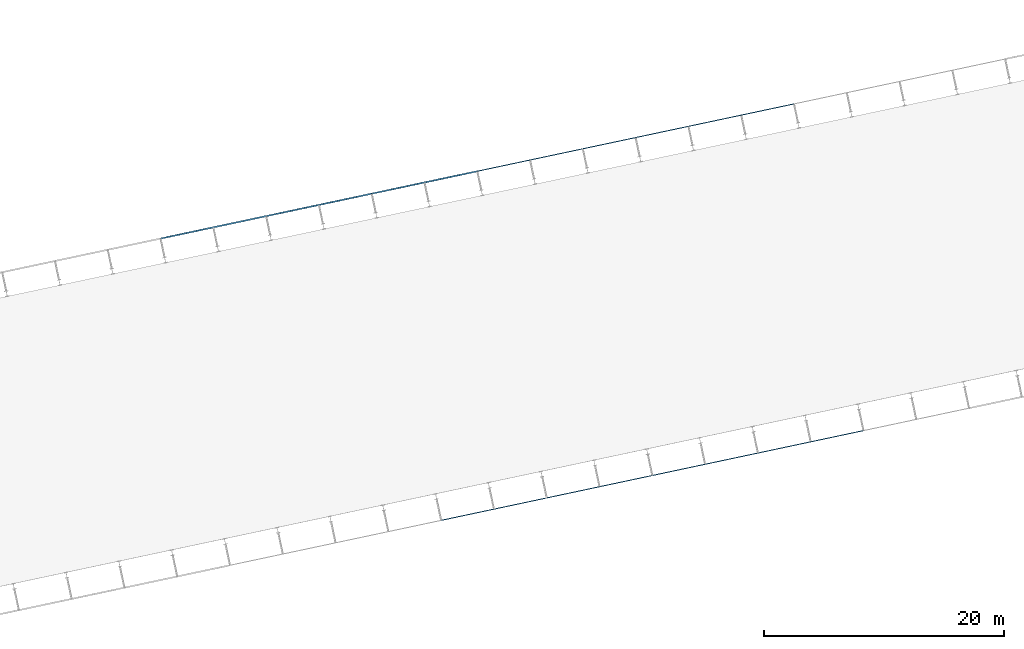
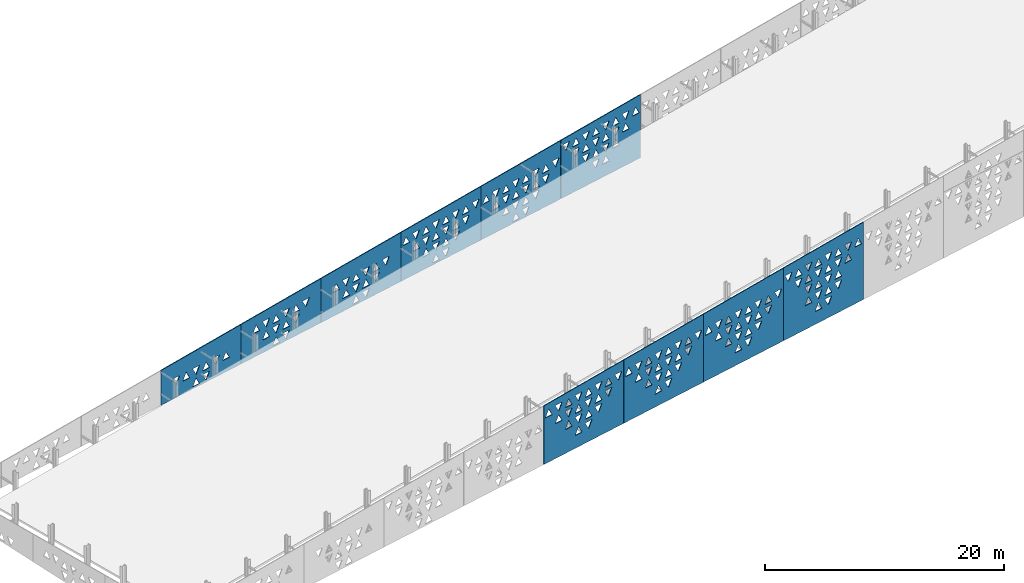
# One storey, part 24 of 41: 10 plates.
"""IFC4 building model written with IfcOpenShell, lengths in metres."""

from ifc_helpers import new_model, si_unit, direction, frame, origin, place, context, subcontext, project, spatial, polyline, outline, extrude, material, layer, layer_set, type_object, element, save


model = new_model("IFC4")

# Units and contexts
model_context = context("Model", 3, precision=1e-05, world=origin(), true_north=direction((0.0, 1.0)))
body_context = subcontext(model_context, "Body", "Model", "MODEL_VIEW")
ifc_project = project(units=[si_unit("LENGTHUNIT", "METRE"), si_unit("AREAUNIT", "SQUARE_METRE"), si_unit("VOLUMEUNIT", "CUBIC_METRE"), si_unit("PLANEANGLEUNIT", "RADIAN"), si_unit("MASSUNIT", "GRAM", prefix="KILO")], contexts=[model_context])

# Site, building, storey
site_placement = place(None, origin())
site = spatial("IfcSite", under=ifc_project, at=site_placement, CompositionType="ELEMENT")
building_placement = place(site_placement, origin())
building = spatial("IfcBuilding", under=site, at=building_placement, Name="Okhra Congress Centre", CompositionType="ELEMENT")
storey_placement = place(building_placement, frame((0.0, 0.0, 21.60009765625)))
storey = spatial("IfcBuildingStorey", under=building, at=storey_placement, Name="ROOF", CompositionType="ELEMENT", Elevation=21.60009765625)

# Plates
ifc_material = material(Name="Fired clay terracotta rainscreen panel, deep oxide-red glaze, non-combustible", Category="masonry")
ifc_layer = layer(ifc_material, 0.080078125)
ifc_layer_set = layer_set([ifc_layer], Name="Terracotta screen panel 8980 sloped top")
plate_type = type_object("IfcPlateType", Name="Terracotta screen panel 8980 sloped top", PredefinedType="SHEET", material=ifc_layer_set)
plate_1_placement = place(storey_placement, frame((101.056884765625, 33.2509765625, 0.2099609375), z_axis=(0.0, 0.0, 1.0), x_axis=(0.978149591018, 0.207902327047, 0.0)))
element("IfcPlate", 1, at=plate_1_placement, inside=storey, type_object=plate_type, Name="Screen panel S6 Parapet", PredefinedType="SHEET", context=body_context, shape_type="SweptSolid", body=[
    extrude(outline(polyline([(0.0, 0.0), (8.97998046875, 0.0), (8.97998046875, 6.464111328125), (0.0, 5.983642578125), (0.0, 0.0)]), holes=[polyline([(3.536376953125, 1.303955078125), (4.3037109375, 1.303955078125), (3.919921875, 2.05615234375), (3.536376953125, 1.303955078125)]), polyline([(4.656494140625, 2.05615234375), (5.0400390625, 1.303955078125), (5.423583984375, 2.05615234375), (4.656494140625, 2.05615234375)]), polyline([(2.41650390625, 2.423828125), (3.18359375, 2.423828125), (2.800048828125, 3.176025390625), (2.41650390625, 2.423828125)]), polyline([(3.536376953125, 3.176025390625), (3.919921875, 2.423828125), (4.3037109375, 3.176025390625), (3.536376953125, 3.176025390625)]), polyline([(4.656494140625, 2.423828125), (5.423583984375, 2.423828125), (5.0400390625, 3.176025390625), (4.656494140625, 2.423828125)]), polyline([(5.7763671875, 3.176025390625), (6.159912109375, 2.423828125), (6.543701171875, 3.176025390625), (5.7763671875, 3.176025390625)]), polyline([(1.29638671875, 3.5439453125), (2.0634765625, 3.5439453125), (1.679931640625, 4.296142578125), (1.29638671875, 3.5439453125)]), polyline([(2.41650390625, 4.296142578125), (2.800048828125, 3.5439453125), (3.18359375, 4.296142578125), (2.41650390625, 4.296142578125)]), polyline([(3.536376953125, 3.5439453125), (4.3037109375, 3.5439453125), (3.919921875, 4.296142578125), (3.536376953125, 3.5439453125)]), polyline([(4.656494140625, 4.296142578125), (5.0400390625, 3.5439453125), (5.423583984375, 4.296142578125), (4.656494140625, 4.296142578125)]), polyline([(5.7763671875, 3.5439453125), (6.543701171875, 3.5439453125), (6.159912109375, 4.296142578125), (5.7763671875, 3.5439453125)]), polyline([(6.896484375, 4.296142578125), (7.280029296875, 3.5439453125), (7.66357421875, 4.296142578125), (6.896484375, 4.296142578125)]), polyline([(0.176513671875, 4.663818359375), (0.943603515625, 4.663818359375), (0.56005859375, 5.416015625), (0.176513671875, 4.663818359375)]), polyline([(1.29638671875, 5.416015625), (1.679931640625, 4.663818359375), (2.0634765625, 5.416015625), (1.29638671875, 5.416015625)]), polyline([(2.41650390625, 4.663818359375), (3.18359375, 4.663818359375), (2.800048828125, 5.416015625), (2.41650390625, 4.663818359375)]), polyline([(3.536376953125, 5.416015625), (3.919921875, 4.663818359375), (4.3037109375, 5.416015625), (3.536376953125, 5.416015625)]), polyline([(4.656494140625, 4.663818359375), (5.423583984375, 4.663818359375), (5.0400390625, 5.416015625), (4.656494140625, 4.663818359375)]), polyline([(5.7763671875, 5.416015625), (6.159912109375, 4.663818359375), (6.543701171875, 5.416015625), (5.7763671875, 5.416015625)]), polyline([(6.896484375, 4.663818359375), (7.66357421875, 4.663818359375), (7.280029296875, 5.416015625), (6.896484375, 4.663818359375)]), polyline([(8.016357421875, 5.416015625), (8.39990234375, 4.663818359375), (8.78369140625, 5.416015625), (8.016357421875, 5.416015625)])]), frame((0.0, 0.0400390625, 0.0), z_axis=(0.0, -1.0, 0.0), x_axis=(1.0, 0.0, 0.0)), (0.0, 0.0, 1.0), 0.080078125),
])
plate_2_placement = place(storey_placement, frame((109.860107421875, 35.122314453125, 0.2099609375), z_axis=(0.0, 0.0, 1.0), x_axis=(0.978149591018, 0.207902327047, 0.0)))
element("IfcPlate", 2, at=plate_2_placement, inside=storey, type_object=plate_type, Name="Screen panel S7 Parapet", PredefinedType="SHEET", context=body_context, shape_type="SweptSolid", body=[
    extrude(outline(polyline([(0.0, 0.0), (8.97998046875, 0.0), (8.97998046875, 6.945556640625), (0.0, 6.465087890625), (0.0, 0.0)]), holes=[polyline([(3.536376953125, 1.303955078125), (4.3037109375, 1.303955078125), (3.919921875, 2.05615234375), (3.536376953125, 1.303955078125)]), polyline([(4.656494140625, 2.05615234375), (5.0400390625, 1.303955078125), (5.423583984375, 2.05615234375), (4.656494140625, 2.05615234375)]), polyline([(2.41650390625, 2.423828125), (3.18359375, 2.423828125), (2.800048828125, 3.176025390625), (2.41650390625, 2.423828125)]), polyline([(3.536376953125, 3.176025390625), (3.919921875, 2.423828125), (4.3037109375, 3.176025390625), (3.536376953125, 3.176025390625)]), polyline([(4.656494140625, 2.423828125), (5.423583984375, 2.423828125), (5.0400390625, 3.176025390625), (4.656494140625, 2.423828125)]), polyline([(5.7763671875, 3.176025390625), (6.159912109375, 2.423828125), (6.543701171875, 3.176025390625), (5.7763671875, 3.176025390625)]), polyline([(1.29638671875, 3.5439453125), (2.0634765625, 3.5439453125), (1.679931640625, 4.296142578125), (1.29638671875, 3.5439453125)]), polyline([(2.41650390625, 4.296142578125), (2.800048828125, 3.5439453125), (3.18359375, 4.296142578125), (2.41650390625, 4.296142578125)]), polyline([(3.536376953125, 3.5439453125), (4.3037109375, 3.5439453125), (3.919921875, 4.296142578125), (3.536376953125, 3.5439453125)]), polyline([(4.656494140625, 4.296142578125), (5.0400390625, 3.5439453125), (5.423583984375, 4.296142578125), (4.656494140625, 4.296142578125)]), polyline([(5.7763671875, 3.5439453125), (6.543701171875, 3.5439453125), (6.159912109375, 4.296142578125), (5.7763671875, 3.5439453125)]), polyline([(6.896484375, 4.296142578125), (7.280029296875, 3.5439453125), (7.66357421875, 4.296142578125), (6.896484375, 4.296142578125)]), polyline([(0.176513671875, 4.663818359375), (0.943603515625, 4.663818359375), (0.56005859375, 5.416015625), (0.176513671875, 4.663818359375)]), polyline([(1.29638671875, 5.416015625), (1.679931640625, 4.663818359375), (2.0634765625, 5.416015625), (1.29638671875, 5.416015625)]), polyline([(2.41650390625, 4.663818359375), (3.18359375, 4.663818359375), (2.800048828125, 5.416015625), (2.41650390625, 4.663818359375)]), polyline([(3.536376953125, 5.416015625), (3.919921875, 4.663818359375), (4.3037109375, 5.416015625), (3.536376953125, 5.416015625)]), polyline([(4.656494140625, 4.663818359375), (5.423583984375, 4.663818359375), (5.0400390625, 5.416015625), (4.656494140625, 4.663818359375)]), polyline([(5.7763671875, 5.416015625), (6.159912109375, 4.663818359375), (6.543701171875, 5.416015625), (5.7763671875, 5.416015625)]), polyline([(6.896484375, 4.663818359375), (7.66357421875, 4.663818359375), (7.280029296875, 5.416015625), (6.896484375, 4.663818359375)]), polyline([(8.016357421875, 5.416015625), (8.39990234375, 4.663818359375), (8.78369140625, 5.416015625), (8.016357421875, 5.416015625)])]), frame((0.0, 0.0400390625, 0.0), z_axis=(0.0, -1.0, 0.0), x_axis=(1.0, 0.0, 0.0)), (0.0, 0.0, 1.0), 0.080078125),
])
plate_3_placement = place(storey_placement, frame((118.663330078125, 36.993408203125, 0.2099609375), z_axis=(0.0, 0.0, 1.0), x_axis=(0.978150766104, 0.207896798366, 0.0)))
element("IfcPlate", 3, at=plate_3_placement, inside=storey, type_object=plate_type, Name="Screen panel S8 Parapet", PredefinedType="SHEET", context=body_context, shape_type="SweptSolid", body=[
    extrude(outline(polyline([(0.0, 0.0), (8.97998046875, 0.0), (8.97998046875, 7.42724609375), (0.0, 6.94677734375), (0.0, 0.0)]), holes=[polyline([(3.536376953125, 1.303955078125), (4.3037109375, 1.303955078125), (3.919921875, 2.05615234375), (3.536376953125, 1.303955078125)]), polyline([(4.656494140625, 2.05615234375), (5.0400390625, 1.303955078125), (5.423583984375, 2.05615234375), (4.656494140625, 2.05615234375)]), polyline([(2.41650390625, 2.423828125), (3.18359375, 2.423828125), (2.800048828125, 3.176025390625), (2.41650390625, 2.423828125)]), polyline([(3.536376953125, 3.176025390625), (3.919921875, 2.423828125), (4.3037109375, 3.176025390625), (3.536376953125, 3.176025390625)]), polyline([(4.656494140625, 2.423828125), (5.423583984375, 2.423828125), (5.0400390625, 3.176025390625), (4.656494140625, 2.423828125)]), polyline([(5.7763671875, 3.176025390625), (6.159912109375, 2.423828125), (6.543701171875, 3.176025390625), (5.7763671875, 3.176025390625)]), polyline([(1.29638671875, 3.5439453125), (2.0634765625, 3.5439453125), (1.679931640625, 4.296142578125), (1.29638671875, 3.5439453125)]), polyline([(2.41650390625, 4.296142578125), (2.800048828125, 3.5439453125), (3.18359375, 4.296142578125), (2.41650390625, 4.296142578125)]), polyline([(3.536376953125, 3.5439453125), (4.3037109375, 3.5439453125), (3.919921875, 4.296142578125), (3.536376953125, 3.5439453125)]), polyline([(4.656494140625, 4.296142578125), (5.0400390625, 3.5439453125), (5.423583984375, 4.296142578125), (4.656494140625, 4.296142578125)]), polyline([(5.7763671875, 3.5439453125), (6.543701171875, 3.5439453125), (6.159912109375, 4.296142578125), (5.7763671875, 3.5439453125)]), polyline([(6.896484375, 4.296142578125), (7.280029296875, 3.5439453125), (7.66357421875, 4.296142578125), (6.896484375, 4.296142578125)]), polyline([(0.176513671875, 4.663818359375), (0.943603515625, 4.663818359375), (0.56005859375, 5.416015625), (0.176513671875, 4.663818359375)]), polyline([(1.29638671875, 5.416015625), (1.679931640625, 4.663818359375), (2.0634765625, 5.416015625), (1.29638671875, 5.416015625)]), polyline([(2.41650390625, 4.663818359375), (3.18359375, 4.663818359375), (2.800048828125, 5.416015625), (2.41650390625, 4.663818359375)]), polyline([(3.536376953125, 5.416015625), (3.919921875, 4.663818359375), (4.3037109375, 5.416015625), (3.536376953125, 5.416015625)]), polyline([(4.656494140625, 4.663818359375), (5.423583984375, 4.663818359375), (5.0400390625, 5.416015625), (4.656494140625, 4.663818359375)]), polyline([(5.7763671875, 5.416015625), (6.159912109375, 4.663818359375), (6.543701171875, 5.416015625), (5.7763671875, 5.416015625)]), polyline([(6.896484375, 4.663818359375), (7.66357421875, 4.663818359375), (7.280029296875, 5.416015625), (6.896484375, 4.663818359375)]), polyline([(8.016357421875, 5.416015625), (8.39990234375, 4.663818359375), (8.78369140625, 5.416015625), (8.016357421875, 5.416015625)])]), frame((0.0, 0.0400390625, 0.0), z_axis=(0.0, -1.0, 0.0), x_axis=(1.0, 0.0, 0.0)), (0.0, 0.0, 1.0), 0.080078125),
])
plate_4_placement = place(storey_placement, frame((127.466796875, 38.864501953125, 0.2099609375), z_axis=(0.0, 0.0, 1.0), x_axis=(0.978144061878, 0.207928339131, 0.0)))
element("IfcPlate", 4, at=plate_4_placement, inside=storey, type_object=plate_type, Name="Screen panel S9 Parapet", PredefinedType="SHEET", context=body_context, shape_type="SweptSolid", body=[
    extrude(outline(polyline([(0.0, 0.0), (8.97998046875, 0.0), (8.97998046875, 7.90869140625), (0.0, 7.42822265625), (0.0, 0.0)]), holes=[polyline([(3.536376953125, 1.303955078125), (4.3037109375, 1.303955078125), (3.919921875, 2.05615234375), (3.536376953125, 1.303955078125)]), polyline([(4.656494140625, 2.05615234375), (5.0400390625, 1.303955078125), (5.423583984375, 2.05615234375), (4.656494140625, 2.05615234375)]), polyline([(2.41650390625, 2.423828125), (3.18359375, 2.423828125), (2.800048828125, 3.176025390625), (2.41650390625, 2.423828125)]), polyline([(3.536376953125, 3.176025390625), (3.919921875, 2.423828125), (4.3037109375, 3.176025390625), (3.536376953125, 3.176025390625)]), polyline([(4.656494140625, 2.423828125), (5.423583984375, 2.423828125), (5.0400390625, 3.176025390625), (4.656494140625, 2.423828125)]), polyline([(5.7763671875, 3.176025390625), (6.159912109375, 2.423828125), (6.543701171875, 3.176025390625), (5.7763671875, 3.176025390625)]), polyline([(2.41650390625, 4.296142578125), (2.800048828125, 3.5439453125), (3.18359375, 4.296142578125), (2.41650390625, 4.296142578125)]), polyline([(3.536376953125, 3.5439453125), (4.3037109375, 3.5439453125), (3.919921875, 4.296142578125), (3.536376953125, 3.5439453125)]), polyline([(4.656494140625, 4.296142578125), (5.0400390625, 3.5439453125), (5.423583984375, 4.296142578125), (4.656494140625, 4.296142578125)]), polyline([(5.7763671875, 3.5439453125), (6.543701171875, 3.5439453125), (6.159912109375, 4.296142578125), (5.7763671875, 3.5439453125)]), polyline([(1.29638671875, 5.416015625), (1.679931640625, 4.663818359375), (2.0634765625, 5.416015625), (1.29638671875, 5.416015625)]), polyline([(2.41650390625, 4.663818359375), (3.18359375, 4.663818359375), (2.800048828125, 5.416015625), (2.41650390625, 4.663818359375)]), polyline([(3.536376953125, 5.416015625), (3.919921875, 4.663818359375), (4.3037109375, 5.416015625), (3.536376953125, 5.416015625)]), polyline([(4.656494140625, 4.663818359375), (5.423583984375, 4.663818359375), (5.0400390625, 5.416015625), (4.656494140625, 4.663818359375)]), polyline([(5.7763671875, 5.416015625), (6.159912109375, 4.663818359375), (6.543701171875, 5.416015625), (5.7763671875, 5.416015625)]), polyline([(6.896484375, 4.663818359375), (7.66357421875, 4.663818359375), (7.280029296875, 5.416015625), (6.896484375, 4.663818359375)]), polyline([(0.176513671875, 6.5361328125), (0.56005859375, 5.783935546875), (0.943603515625, 6.5361328125), (0.176513671875, 6.5361328125)]), polyline([(1.29638671875, 5.783935546875), (2.0634765625, 5.783935546875), (1.679931640625, 6.5361328125), (1.29638671875, 5.783935546875)]), polyline([(2.41650390625, 6.5361328125), (2.800048828125, 5.783935546875), (3.18359375, 6.5361328125), (2.41650390625, 6.5361328125)]), polyline([(3.536376953125, 5.783935546875), (4.3037109375, 5.783935546875), (3.919921875, 6.5361328125), (3.536376953125, 5.783935546875)]), polyline([(4.656494140625, 6.5361328125), (5.0400390625, 5.783935546875), (5.423583984375, 6.5361328125), (4.656494140625, 6.5361328125)]), polyline([(5.7763671875, 5.783935546875), (6.543701171875, 5.783935546875), (6.159912109375, 6.5361328125), (5.7763671875, 5.783935546875)]), polyline([(6.896484375, 6.5361328125), (7.280029296875, 5.783935546875), (7.66357421875, 6.5361328125), (6.896484375, 6.5361328125)]), polyline([(8.016357421875, 5.783935546875), (8.78369140625, 5.783935546875), (8.39990234375, 6.5361328125), (8.016357421875, 5.783935546875)])]), frame((0.0, 0.0400390625, 0.0), z_axis=(0.0, -1.0, 0.0), x_axis=(1.0, 0.0, 0.0)), (0.0, 0.0, 1.0), 0.080078125),
])
plate_5_placement = place(storey_placement, frame((130.460205078125, 67.97314453125, 0.2099609375), z_axis=(0.0, 0.0, 1.0), x_axis=(-0.978144061878, -0.207928339131, 0.0)))
element("IfcPlate", 5, at=plate_5_placement, inside=storey, type_object=plate_type, Name="Screen panel N11 Parapet", PredefinedType="SHEET", context=body_context, shape_type="SweptSolid", body=[
    extrude(outline(polyline([(0.0, 0.0), (8.97998046875, 0.0), (8.97998046875, 5.96875), (0.0, 6.44921875), (0.0, 0.0)]), holes=[polyline([(3.536376953125, 1.303955078125), (4.3037109375, 1.303955078125), (3.919921875, 2.05615234375), (3.536376953125, 1.303955078125)]), polyline([(4.656494140625, 2.05615234375), (5.0400390625, 1.303955078125), (5.423583984375, 2.05615234375), (4.656494140625, 2.05615234375)]), polyline([(2.41650390625, 2.423828125), (3.18359375, 2.423828125), (2.800048828125, 3.176025390625), (2.41650390625, 2.423828125)]), polyline([(3.536376953125, 3.176025390625), (3.919921875, 2.423828125), (4.3037109375, 3.176025390625), (3.536376953125, 3.176025390625)]), polyline([(4.656494140625, 2.423828125), (5.423583984375, 2.423828125), (5.0400390625, 3.176025390625), (4.656494140625, 2.423828125)]), polyline([(5.7763671875, 3.176025390625), (6.159912109375, 2.423828125), (6.543701171875, 3.176025390625), (5.7763671875, 3.176025390625)]), polyline([(1.29638671875, 3.5439453125), (2.0634765625, 3.5439453125), (1.679931640625, 4.296142578125), (1.29638671875, 3.5439453125)]), polyline([(2.41650390625, 4.296142578125), (2.800048828125, 3.5439453125), (3.18359375, 4.296142578125), (2.41650390625, 4.296142578125)]), polyline([(3.536376953125, 3.5439453125), (4.3037109375, 3.5439453125), (3.919921875, 4.296142578125), (3.536376953125, 3.5439453125)]), polyline([(4.656494140625, 4.296142578125), (5.0400390625, 3.5439453125), (5.423583984375, 4.296142578125), (4.656494140625, 4.296142578125)]), polyline([(5.7763671875, 3.5439453125), (6.543701171875, 3.5439453125), (6.159912109375, 4.296142578125), (5.7763671875, 3.5439453125)]), polyline([(6.896484375, 4.296142578125), (7.280029296875, 3.5439453125), (7.66357421875, 4.296142578125), (6.896484375, 4.296142578125)]), polyline([(0.176513671875, 4.663818359375), (0.943603515625, 4.663818359375), (0.56005859375, 5.416015625), (0.176513671875, 4.663818359375)]), polyline([(1.29638671875, 5.416015625), (1.679931640625, 4.663818359375), (2.0634765625, 5.416015625), (1.29638671875, 5.416015625)]), polyline([(2.41650390625, 4.663818359375), (3.18359375, 4.663818359375), (2.800048828125, 5.416015625), (2.41650390625, 4.663818359375)]), polyline([(3.536376953125, 5.416015625), (3.919921875, 4.663818359375), (4.3037109375, 5.416015625), (3.536376953125, 5.416015625)]), polyline([(4.656494140625, 4.663818359375), (5.423583984375, 4.663818359375), (5.0400390625, 5.416015625), (4.656494140625, 4.663818359375)]), polyline([(5.7763671875, 5.416015625), (6.159912109375, 4.663818359375), (6.543701171875, 5.416015625), (5.7763671875, 5.416015625)]), polyline([(6.896484375, 4.663818359375), (7.66357421875, 4.663818359375), (7.280029296875, 5.416015625), (6.896484375, 4.663818359375)]), polyline([(8.016357421875, 5.416015625), (8.39990234375, 4.663818359375), (8.78369140625, 5.416015625), (8.016357421875, 5.416015625)])]), frame((0.0, 0.0400390625, 0.0), z_axis=(0.0, -1.0, 0.0), x_axis=(1.0, 0.0, 0.0)), (0.0, 0.0, 1.0), 0.080078125),
])
plate_6_placement = place(storey_placement, frame((121.65673828125, 66.101806640625, 0.2099609375), z_axis=(0.0, 0.0, 1.0), x_axis=(-0.978149591018, -0.207902327047, 0.0)))
element("IfcPlate", 6, at=plate_6_placement, inside=storey, type_object=plate_type, Name="Screen panel N12 Parapet", PredefinedType="SHEET", context=body_context, shape_type="SweptSolid", body=[
    extrude(outline(polyline([(0.0, 0.0), (8.97998046875, 0.0), (8.97998046875, 5.487060546875), (0.0, 5.967529296875), (0.0, 0.0)]), holes=[polyline([(3.536376953125, 0.93603515625), (3.919921875, 0.183837890625), (4.3037109375, 0.93603515625), (3.536376953125, 0.93603515625)]), polyline([(4.656494140625, 0.183837890625), (5.423583984375, 0.183837890625), (5.0400390625, 0.93603515625), (4.656494140625, 0.183837890625)]), polyline([(2.41650390625, 2.05615234375), (2.800048828125, 1.303955078125), (3.18359375, 2.05615234375), (2.41650390625, 2.05615234375)]), polyline([(3.536376953125, 1.303955078125), (4.3037109375, 1.303955078125), (3.919921875, 2.05615234375), (3.536376953125, 1.303955078125)]), polyline([(4.656494140625, 2.05615234375), (5.0400390625, 1.303955078125), (5.423583984375, 2.05615234375), (4.656494140625, 2.05615234375)]), polyline([(5.7763671875, 1.303955078125), (6.543701171875, 1.303955078125), (6.159912109375, 2.05615234375), (5.7763671875, 1.303955078125)]), polyline([(1.29638671875, 3.176025390625), (1.679931640625, 2.423828125), (2.0634765625, 3.176025390625), (1.29638671875, 3.176025390625)]), polyline([(2.41650390625, 2.423828125), (3.18359375, 2.423828125), (2.800048828125, 3.176025390625), (2.41650390625, 2.423828125)]), polyline([(3.536376953125, 3.176025390625), (3.919921875, 2.423828125), (4.3037109375, 3.176025390625), (3.536376953125, 3.176025390625)]), polyline([(4.656494140625, 2.423828125), (5.423583984375, 2.423828125), (5.0400390625, 3.176025390625), (4.656494140625, 2.423828125)]), polyline([(5.7763671875, 3.176025390625), (6.159912109375, 2.423828125), (6.543701171875, 3.176025390625), (5.7763671875, 3.176025390625)]), polyline([(6.896484375, 2.423828125), (7.66357421875, 2.423828125), (7.280029296875, 3.176025390625), (6.896484375, 2.423828125)]), polyline([(0.176513671875, 4.296142578125), (0.56005859375, 3.5439453125), (0.943603515625, 4.296142578125), (0.176513671875, 4.296142578125)]), polyline([(1.29638671875, 3.5439453125), (2.0634765625, 3.5439453125), (1.679931640625, 4.296142578125), (1.29638671875, 3.5439453125)]), polyline([(2.41650390625, 4.296142578125), (2.800048828125, 3.5439453125), (3.18359375, 4.296142578125), (2.41650390625, 4.296142578125)]), polyline([(3.536376953125, 3.5439453125), (4.3037109375, 3.5439453125), (3.919921875, 4.296142578125), (3.536376953125, 3.5439453125)]), polyline([(4.656494140625, 4.296142578125), (5.0400390625, 3.5439453125), (5.423583984375, 4.296142578125), (4.656494140625, 4.296142578125)]), polyline([(5.7763671875, 3.5439453125), (6.543701171875, 3.5439453125), (6.159912109375, 4.296142578125), (5.7763671875, 3.5439453125)]), polyline([(6.896484375, 4.296142578125), (7.280029296875, 3.5439453125), (7.66357421875, 4.296142578125), (6.896484375, 4.296142578125)]), polyline([(8.016357421875, 3.5439453125), (8.78369140625, 3.5439453125), (8.39990234375, 4.296142578125), (8.016357421875, 3.5439453125)])]), frame((0.0, 0.0400390625, 0.0), z_axis=(0.0, -1.0, 0.0), x_axis=(1.0, 0.0, 0.0)), (0.0, 0.0, 1.0), 0.080078125),
])
plate_7_placement = place(storey_placement, frame((112.853515625, 64.230712890625, 0.2099609375), z_axis=(0.0, 0.0, 1.0), x_axis=(-0.978144061878, -0.207928339131, 0.0)))
element("IfcPlate", 7, at=plate_7_placement, inside=storey, type_object=plate_type, Name="Screen panel N13 Parapet", PredefinedType="SHEET", context=body_context, shape_type="SweptSolid", body=[
    extrude(outline(polyline([(0.0, 0.0), (8.97998046875, 0.0), (8.97998046875, 5.005615234375), (0.0, 5.486083984375), (0.0, 0.0)]), holes=[polyline([(3.536376953125, 0.93603515625), (3.919921875, 0.183837890625), (4.3037109375, 0.93603515625), (3.536376953125, 0.93603515625)]), polyline([(4.656494140625, 0.183837890625), (5.423583984375, 0.183837890625), (5.0400390625, 0.93603515625), (4.656494140625, 0.183837890625)]), polyline([(2.41650390625, 2.05615234375), (2.800048828125, 1.303955078125), (3.18359375, 2.05615234375), (2.41650390625, 2.05615234375)]), polyline([(3.536376953125, 1.303955078125), (4.3037109375, 1.303955078125), (3.919921875, 2.05615234375), (3.536376953125, 1.303955078125)]), polyline([(4.656494140625, 2.05615234375), (5.0400390625, 1.303955078125), (5.423583984375, 2.05615234375), (4.656494140625, 2.05615234375)]), polyline([(5.7763671875, 1.303955078125), (6.543701171875, 1.303955078125), (6.159912109375, 2.05615234375), (5.7763671875, 1.303955078125)]), polyline([(1.29638671875, 3.176025390625), (1.679931640625, 2.423828125), (2.0634765625, 3.176025390625), (1.29638671875, 3.176025390625)]), polyline([(2.41650390625, 2.423828125), (3.18359375, 2.423828125), (2.800048828125, 3.176025390625), (2.41650390625, 2.423828125)]), polyline([(3.536376953125, 3.176025390625), (3.919921875, 2.423828125), (4.3037109375, 3.176025390625), (3.536376953125, 3.176025390625)]), polyline([(4.656494140625, 2.423828125), (5.423583984375, 2.423828125), (5.0400390625, 3.176025390625), (4.656494140625, 2.423828125)]), polyline([(5.7763671875, 3.176025390625), (6.159912109375, 2.423828125), (6.543701171875, 3.176025390625), (5.7763671875, 3.176025390625)]), polyline([(6.896484375, 2.423828125), (7.66357421875, 2.423828125), (7.280029296875, 3.176025390625), (6.896484375, 2.423828125)]), polyline([(0.176513671875, 4.296142578125), (0.56005859375, 3.5439453125), (0.943603515625, 4.296142578125), (0.176513671875, 4.296142578125)]), polyline([(1.29638671875, 3.5439453125), (2.0634765625, 3.5439453125), (1.679931640625, 4.296142578125), (1.29638671875, 3.5439453125)]), polyline([(2.41650390625, 4.296142578125), (2.800048828125, 3.5439453125), (3.18359375, 4.296142578125), (2.41650390625, 4.296142578125)]), polyline([(3.536376953125, 3.5439453125), (4.3037109375, 3.5439453125), (3.919921875, 4.296142578125), (3.536376953125, 3.5439453125)]), polyline([(4.656494140625, 4.296142578125), (5.0400390625, 3.5439453125), (5.423583984375, 4.296142578125), (4.656494140625, 4.296142578125)]), polyline([(5.7763671875, 3.5439453125), (6.543701171875, 3.5439453125), (6.159912109375, 4.296142578125), (5.7763671875, 3.5439453125)]), polyline([(6.896484375, 4.296142578125), (7.280029296875, 3.5439453125), (7.66357421875, 4.296142578125), (6.896484375, 4.296142578125)]), polyline([(8.016357421875, 3.5439453125), (8.78369140625, 3.5439453125), (8.39990234375, 4.296142578125), (8.016357421875, 3.5439453125)])]), frame((0.0, 0.0400390625, 0.0), z_axis=(0.0, -1.0, 0.0), x_axis=(1.0, 0.0, 0.0)), (0.0, 0.0, 1.0), 0.080078125),
])
plate_8_placement = place(storey_placement, frame((104.05029296875, 62.359375, 0.2099609375), z_axis=(0.0, 0.0, 1.0), x_axis=(-0.978150766104, -0.207896798366, 0.0)))
element("IfcPlate", 8, at=plate_8_placement, inside=storey, type_object=plate_type, Name="Screen panel N14 Parapet", PredefinedType="SHEET", context=body_context, shape_type="SweptSolid", body=[
    extrude(outline(polyline([(0.0, 0.0), (8.97998046875, 0.0), (8.97998046875, 4.524169921875), (0.0, 5.004638671875), (0.0, 0.0)]), holes=[polyline([(3.536376953125, 0.93603515625), (3.919921875, 0.183837890625), (4.3037109375, 0.93603515625), (3.536376953125, 0.93603515625)]), polyline([(4.656494140625, 0.183837890625), (5.423583984375, 0.183837890625), (5.0400390625, 0.93603515625), (4.656494140625, 0.183837890625)]), polyline([(2.41650390625, 2.05615234375), (2.800048828125, 1.303955078125), (3.18359375, 2.05615234375), (2.41650390625, 2.05615234375)]), polyline([(3.536376953125, 1.303955078125), (4.3037109375, 1.303955078125), (3.919921875, 2.05615234375), (3.536376953125, 1.303955078125)]), polyline([(4.656494140625, 2.05615234375), (5.0400390625, 1.303955078125), (5.423583984375, 2.05615234375), (4.656494140625, 2.05615234375)]), polyline([(5.7763671875, 1.303955078125), (6.543701171875, 1.303955078125), (6.159912109375, 2.05615234375), (5.7763671875, 1.303955078125)]), polyline([(1.29638671875, 3.176025390625), (1.679931640625, 2.423828125), (2.0634765625, 3.176025390625), (1.29638671875, 3.176025390625)]), polyline([(2.41650390625, 2.423828125), (3.18359375, 2.423828125), (2.800048828125, 3.176025390625), (2.41650390625, 2.423828125)]), polyline([(3.536376953125, 3.176025390625), (3.919921875, 2.423828125), (4.3037109375, 3.176025390625), (3.536376953125, 3.176025390625)]), polyline([(4.656494140625, 2.423828125), (5.423583984375, 2.423828125), (5.0400390625, 3.176025390625), (4.656494140625, 2.423828125)]), polyline([(5.7763671875, 3.176025390625), (6.159912109375, 2.423828125), (6.543701171875, 3.176025390625), (5.7763671875, 3.176025390625)]), polyline([(6.896484375, 2.423828125), (7.66357421875, 2.423828125), (7.280029296875, 3.176025390625), (6.896484375, 2.423828125)])]), frame((0.0, 0.0400390625, 0.0), z_axis=(0.0, -1.0, 0.0), x_axis=(1.0, 0.0, 0.0)), (0.0, 0.0, 1.0), 0.080078125),
])
plate_9_placement = place(storey_placement, frame((95.246826171875, 60.48828125, 0.2099609375), z_axis=(0.0, 0.0, 1.0), x_axis=(-0.978144061878, -0.207928339131, 0.0)))
element("IfcPlate", 9, at=plate_9_placement, inside=storey, type_object=plate_type, Name="Screen panel N15 Parapet", PredefinedType="SHEET", context=body_context, shape_type="SweptSolid", body=[
    extrude(outline(polyline([(0.0, 0.0), (8.97998046875, 0.0), (8.97998046875, 4.04248046875), (0.0, 4.52294921875), (0.0, 0.0)]), holes=[polyline([(3.536376953125, 0.93603515625), (3.919921875, 0.183837890625), (4.3037109375, 0.93603515625), (3.536376953125, 0.93603515625)]), polyline([(4.656494140625, 0.183837890625), (5.423583984375, 0.183837890625), (5.0400390625, 0.93603515625), (4.656494140625, 0.183837890625)]), polyline([(2.41650390625, 2.05615234375), (2.800048828125, 1.303955078125), (3.18359375, 2.05615234375), (2.41650390625, 2.05615234375)]), polyline([(3.536376953125, 1.303955078125), (4.3037109375, 1.303955078125), (3.919921875, 2.05615234375), (3.536376953125, 1.303955078125)]), polyline([(4.656494140625, 2.05615234375), (5.0400390625, 1.303955078125), (5.423583984375, 2.05615234375), (4.656494140625, 2.05615234375)]), polyline([(5.7763671875, 1.303955078125), (6.543701171875, 1.303955078125), (6.159912109375, 2.05615234375), (5.7763671875, 1.303955078125)]), polyline([(1.29638671875, 3.176025390625), (1.679931640625, 2.423828125), (2.0634765625, 3.176025390625), (1.29638671875, 3.176025390625)]), polyline([(2.41650390625, 2.423828125), (3.18359375, 2.423828125), (2.800048828125, 3.176025390625), (2.41650390625, 2.423828125)]), polyline([(3.536376953125, 3.176025390625), (3.919921875, 2.423828125), (4.3037109375, 3.176025390625), (3.536376953125, 3.176025390625)]), polyline([(4.656494140625, 2.423828125), (5.423583984375, 2.423828125), (5.0400390625, 3.176025390625), (4.656494140625, 2.423828125)]), polyline([(5.7763671875, 3.176025390625), (6.159912109375, 2.423828125), (6.543701171875, 3.176025390625), (5.7763671875, 3.176025390625)]), polyline([(6.896484375, 2.423828125), (7.66357421875, 2.423828125), (7.280029296875, 3.176025390625), (6.896484375, 2.423828125)])]), frame((0.0, 0.0400390625, 0.0), z_axis=(0.0, -1.0, 0.0), x_axis=(1.0, 0.0, 0.0)), (0.0, 0.0, 1.0), 0.080078125),
])
plate_10_placement = place(storey_placement, frame((86.443603515625, 58.616943359375, 0.2099609375), z_axis=(0.0, 0.0, 1.0), x_axis=(-0.978150766104, -0.207896798366, 0.0)))
element("IfcPlate", 10, at=plate_10_placement, inside=storey, type_object=plate_type, Name="Screen panel N16 Parapet", PredefinedType="SHEET", context=body_context, shape_type="SweptSolid", body=[
    extrude(outline(polyline([(0.0, 0.0), (8.97998046875, 0.0), (8.97998046875, 3.56103515625), (0.0, 4.04150390625), (0.0, 0.0)]), holes=[polyline([(3.536376953125, 0.93603515625), (3.919921875, 0.183837890625), (4.3037109375, 0.93603515625), (3.536376953125, 0.93603515625)]), polyline([(4.656494140625, 0.183837890625), (5.423583984375, 0.183837890625), (5.0400390625, 0.93603515625), (4.656494140625, 0.183837890625)]), polyline([(1.29638671875, 1.303955078125), (2.0634765625, 1.303955078125), (1.679931640625, 2.05615234375), (1.29638671875, 1.303955078125)]), polyline([(2.41650390625, 2.05615234375), (2.800048828125, 1.303955078125), (3.18359375, 2.05615234375), (2.41650390625, 2.05615234375)]), polyline([(3.536376953125, 1.303955078125), (4.3037109375, 1.303955078125), (3.919921875, 2.05615234375), (3.536376953125, 1.303955078125)]), polyline([(4.656494140625, 2.05615234375), (5.0400390625, 1.303955078125), (5.423583984375, 2.05615234375), (4.656494140625, 2.05615234375)]), polyline([(5.7763671875, 1.303955078125), (6.543701171875, 1.303955078125), (6.159912109375, 2.05615234375), (5.7763671875, 1.303955078125)]), polyline([(6.896484375, 2.05615234375), (7.280029296875, 1.303955078125), (7.66357421875, 2.05615234375), (6.896484375, 2.05615234375)])]), frame((0.0, 0.0400390625, 0.0), z_axis=(0.0, -1.0, 0.0), x_axis=(1.0, 0.0, 0.0)), (0.0, 0.0, 1.0), 0.080078125),
])

save(model, "model.ifc")
